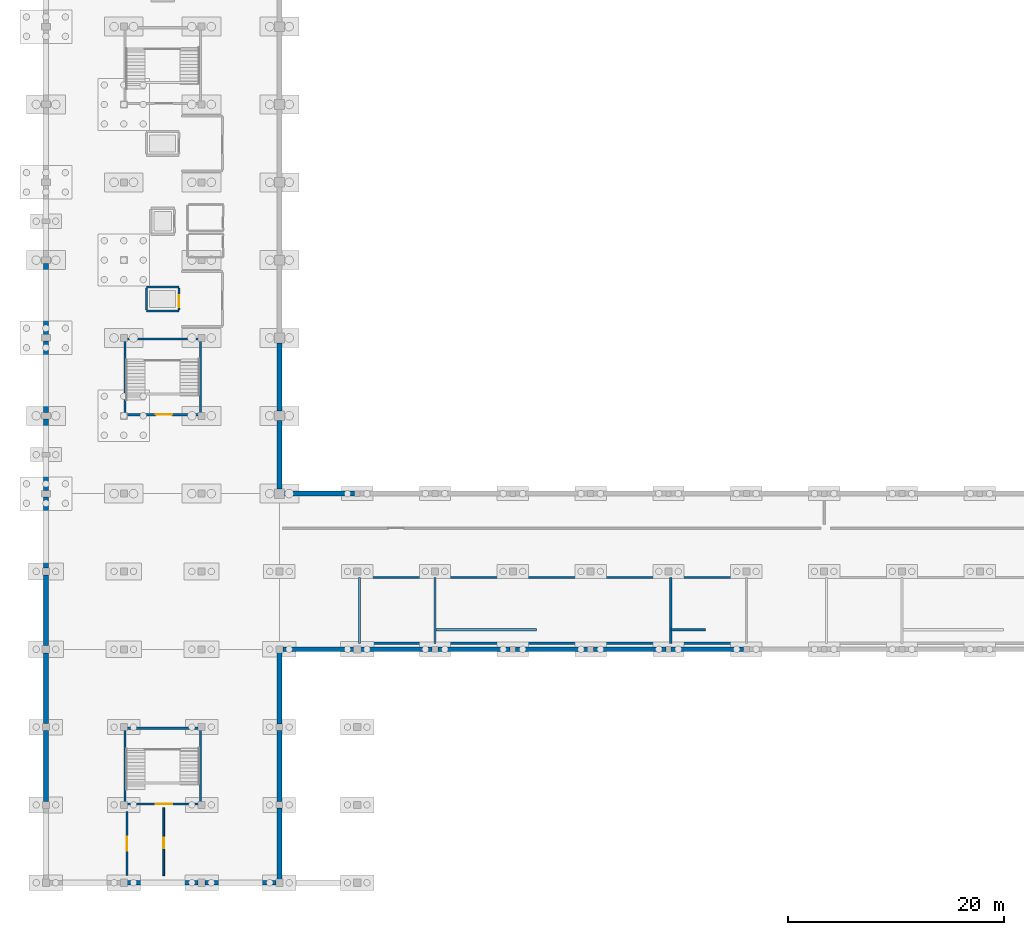
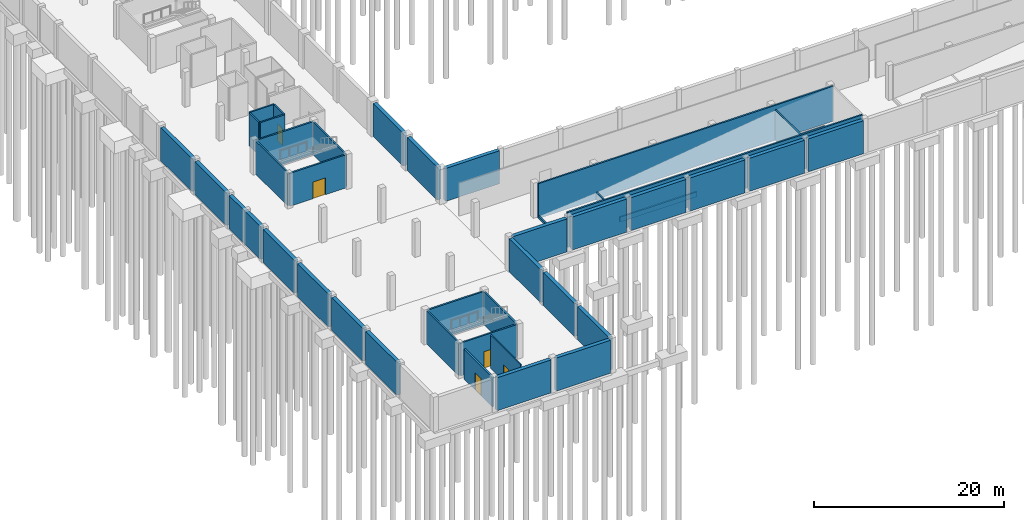
# One storey, part 9 of 18: 42 walls, 5 doors, 5 openings.
"""IFC4 building model written with IfcOpenShell, lengths in metres."""

from ifc_helpers import new_model, si_unit, direction, frame, frame_2d, origin, place, context, subcontext, project, spatial, rectangle, extrude, material, layer, layer_set, type_object, element, fill, save


model = new_model("IFC4")

# Units and contexts
model_context = context("Model", 3, precision=1e-05, world=origin(), true_north=direction((0.0, 1.0)))
body_context = subcontext(model_context, "Body", "Model", "MODEL_VIEW")
ifc_project = project(units=[si_unit("LENGTHUNIT", "METRE"), si_unit("AREAUNIT", "SQUARE_METRE"), si_unit("VOLUMEUNIT", "CUBIC_METRE"), si_unit("PLANEANGLEUNIT", "RADIAN"), si_unit("MASSUNIT", "GRAM", prefix="KILO")], contexts=[model_context])

# Site, building, storey
site_placement = place(None, origin())
site = spatial("IfcSite", under=ifc_project, at=site_placement, CompositionType="ELEMENT")
building_placement = place(site_placement, origin())
building = spatial("IfcBuilding", under=site, at=building_placement, Name="Kangsadwip Square Police Headquarters", CompositionType="ELEMENT")
storey_placement = place(building_placement, frame((0.0, 0.0, -4.5)))
storey = spatial("IfcBuildingStorey", under=building, at=storey_placement, Name="B1", CompositionType="ELEMENT", Elevation=-4.5)

# Walls
ifc_material_1 = material(Name="Concrete M40 (40 MPa)", Category="concrete")
ifc_layer_1 = layer(ifc_material_1, 0.449951171875)
ifc_layer_set_1 = layer_set([ifc_layer_1], Name="Concrete M40 (40 MPa)")
wall_type_1 = type_object("IfcWallType", Name="BasementRetainingWall450", PredefinedType="USERDEFINED", material=ifc_layer_set_1)
for number, where, z_axis, x_axis, name in (
    (1, (7.52001953125, 0.0, 0.0), (0.0, 0.0, 1.0), (1.0, 0.0, 0.0), "Exterior Wall WE-B1-002"),
    (2, (14.719970703125, 0.0, 0.0), (0.0, 0.0, 1.0), (1.0, 0.0, 0.0), "Exterior Wall WE-B1-003"),
    (3, (21.919921875, 21.60009765625, 0.0), (0.0, 0.0, 1.0), (1.0, 0.0, 0.0), "Exterior Wall WE-B1-004"),
):
    element("IfcWall", number, at=place(storey_placement, frame(where, z_axis=z_axis, x_axis=x_axis)), inside=storey, type_object=wall_type_1, Name=name, ObjectType="RETAININGWALL", PredefinedType="USERDEFINED", context=body_context, shape_type="SweptSolid", body=[
        extrude(rectangle(XDim=6.56005859375, YDim=0.449951171875, at=frame_2d((3.280029296875, 0.0))), origin(), (0.0, 0.0, 1.0), 4.25),
    ])
wall_1_placement = place(storey_placement, frame((29.1201171875, 21.60009765625, 0.0), z_axis=(0.0, 0.0, 1.0), x_axis=(1.0, 0.0, 0.0)))
element("IfcWall", 4, at=wall_1_placement, inside=storey, type_object=wall_type_1, Name="Exterior Wall WE-B1-005", ObjectType="RETAININGWALL", PredefinedType="USERDEFINED", context=body_context, shape_type="SweptSolid", body=[
    extrude(rectangle(XDim=6.60986328125, YDim=0.449951171875, at=frame_2d((3.304931640625, 0.0))), origin(), (0.0, 0.0, 1.0), 4.25),
])
wall_2_placement = place(storey_placement, frame((36.27001953125, 21.60009765625, 0.0), z_axis=(0.0, 0.0, 1.0), x_axis=(1.0, 0.0, 0.0)))
element("IfcWall", 5, at=wall_2_placement, inside=storey, type_object=wall_type_1, Name="Exterior Wall WE-B1-006", ObjectType="RETAININGWALL", PredefinedType="USERDEFINED", context=body_context, shape_type="SweptSolid", body=[
    extrude(rectangle(XDim=6.68505859375, YDim=0.449951171875, at=frame_2d((3.342529296875, 0.0))), origin(), (0.0, 0.0, 1.0), 4.25),
])
wall_3_placement = place(storey_placement, frame((43.445068359375, 21.60009765625, 0.0), z_axis=(0.0, 0.0, 1.0), x_axis=(1.0, 0.0, 0.0)))
element("IfcWall", 6, at=wall_3_placement, inside=storey, type_object=wall_type_1, Name="Exterior Wall WE-B1-007", ObjectType="RETAININGWALL", PredefinedType="USERDEFINED", context=body_context, shape_type="SweptSolid", body=[
    extrude(rectangle(XDim=6.684814453125, YDim=0.449951171875, at=frame_2d((3.34228515625, 0.0))), origin(), (0.0, 0.0, 1.0), 4.25),
])
for number, where, z_axis, x_axis, name in (
    (7, (50.669921875, 21.60009765625, 0.0), (0.0, 0.0, 1.0), (1.0, 0.0, 0.0), "Exterior Wall WE-B1-008"),
    (8, (57.844970703125, 21.60009765625, 0.0), (0.0, 0.0, 1.0), (1.0, 0.0, 0.0), "Exterior Wall WE-B1-009"),
):
    element("IfcWall", number, at=place(storey_placement, frame(where, z_axis=z_axis, x_axis=x_axis)), inside=storey, type_object=wall_type_1, Name=name, ObjectType="RETAININGWALL", PredefinedType="USERDEFINED", context=body_context, shape_type="SweptSolid", body=[
        extrude(rectangle(XDim=6.68505859375, YDim=0.449951171875, at=frame_2d((3.342529296875, 0.0))), origin(), (0.0, 0.0, 1.0), 4.25),
    ])
wall_4_placement = place(storey_placement, frame((22.044921875, 36.0, 0.0), z_axis=(0.0, 0.0, 1.0), x_axis=(1.0, 0.0, 0.0)))
element("IfcWall", 9, at=wall_4_placement, inside=storey, type_object=wall_type_1, Name="Exterior Wall WE-B1-024", ObjectType="RETAININGWALL", PredefinedType="USERDEFINED", context=body_context, shape_type="SweptSolid", body=[
    extrude(rectangle(XDim=6.510009765625, YDim=0.449951171875, at=frame_2d((3.2548828125, 0.0))), origin(), (0.0, 0.0, 1.0), 4.25),
])
wall_5_placement = place(storey_placement, frame((0.0, 7.52001953125, 0.0), z_axis=(0.0, 0.0, 1.0), x_axis=(0.0, 1.0, 0.0)))
element("IfcWall", 10, at=wall_5_placement, inside=storey, type_object=wall_type_1, Name="Exterior Wall WE-B1-082", ObjectType="RETAININGWALL", PredefinedType="USERDEFINED", context=body_context, shape_type="SweptSolid", body=[
    extrude(rectangle(XDim=6.56005859375, YDim=0.449951171875, at=frame_2d((3.280029296875, 0.0))), origin(), (0.0, 0.0, 1.0), 4.25),
])
for number, where, z_axis, x_axis, name in (
    (11, (0.0, 14.719970703125, 0.0), (0.0, 0.0, 1.0), (0.0, 1.0, 0.0), "Exterior Wall WE-B1-083"),
    (12, (0.0, 21.945068359375, 0.0), (0.0, 0.0, 1.0), (0.0, 1.0, 0.0), "Exterior Wall WE-B1-084"),
):
    element("IfcWall", number, at=place(storey_placement, frame(where, z_axis=z_axis, x_axis=x_axis)), inside=storey, type_object=wall_type_1, Name=name, ObjectType="RETAININGWALL", PredefinedType="USERDEFINED", context=body_context, shape_type="SweptSolid", body=[
        extrude(rectangle(XDim=6.534912109375, YDim=0.449951171875, at=frame_2d((3.267578125, 0.0))), origin(), (0.0, 0.0, 1.0), 4.25),
    ])
wall_6_placement = place(storey_placement, frame((0.0, 29.1201171875, 0.0), z_axis=(0.0, 0.0, 1.0), x_axis=(0.0, 1.0, 0.0)))
element("IfcWall", 13, at=wall_6_placement, inside=storey, type_object=wall_type_1, Name="Exterior Wall WE-B1-085", ObjectType="RETAININGWALL", PredefinedType="USERDEFINED", context=body_context, shape_type="SweptSolid", body=[
    extrude(rectangle(XDim=6.5849609375, YDim=0.449951171875, at=frame_2d((3.29248046875, 0.0))), origin(), (0.0, 0.0, 1.0), 4.25),
])
wall_7_placement = place(storey_placement, frame((0.0, 36.294921875, 0.0), z_axis=(0.0, 0.0, 1.0), x_axis=(0.0, 1.0, 0.0)))
element("IfcWall", 14, at=wall_7_placement, inside=storey, type_object=wall_type_1, Name="Exterior Wall WE-B1-086", ObjectType="RETAININGWALL", PredefinedType="USERDEFINED", context=body_context, shape_type="SweptSolid", body=[
    extrude(rectangle(XDim=6.610107421875, YDim=0.449951171875, at=frame_2d((3.30517578125, 0.0))), origin(), (0.0, 0.0, 1.0), 4.25),
])
for number, where, z_axis, x_axis, name in (
    (15, (0.0, 43.4951171875, 0.0), (0.0, 0.0, 1.0), (0.0, 1.0, 0.0), "Exterior Wall WE-B1-087"),
    (16, (0.0, 50.695068359375, 0.0), (0.0, 0.0, 1.0), (0.0, 1.0, 0.0), "Exterior Wall WE-B1-088"),
):
    element("IfcWall", number, at=place(storey_placement, frame(where, z_axis=z_axis, x_axis=x_axis)), inside=storey, type_object=wall_type_1, Name=name, ObjectType="RETAININGWALL", PredefinedType="USERDEFINED", context=body_context, shape_type="SweptSolid", body=[
        extrude(rectangle(XDim=6.60986328125, YDim=0.449951171875, at=frame_2d((3.304931640625, 0.0))), origin(), (0.0, 0.0, 1.0), 4.25),
    ])
wall_8_placement = place(storey_placement, frame((21.60009765625, 0.320068359375, 0.0), z_axis=(0.0, 0.0, 1.0), x_axis=(0.0, 1.0, 0.0)))
element("IfcWall", 17, at=wall_8_placement, inside=storey, type_object=wall_type_1, Name="Exterior Wall WE-B1-096", ObjectType="RETAININGWALL", PredefinedType="USERDEFINED", context=body_context, shape_type="SweptSolid", body=[
    extrude(rectangle(XDim=6.5849609375, YDim=0.449951171875, at=frame_2d((3.29248046875, 0.0))), origin(), (0.0, 0.0, 1.0), 4.25),
])
wall_9_placement = place(storey_placement, frame((21.60009765625, 7.4951171875, 0.0), z_axis=(0.0, 0.0, 1.0), x_axis=(0.0, 1.0, 0.0)))
element("IfcWall", 18, at=wall_9_placement, inside=storey, type_object=wall_type_1, Name="Exterior Wall WE-B1-097", ObjectType="RETAININGWALL", PredefinedType="USERDEFINED", context=body_context, shape_type="SweptSolid", body=[
    extrude(rectangle(XDim=6.60986328125, YDim=0.449951171875, at=frame_2d((3.304931640625, 0.0))), origin(), (0.0, 0.0, 1.0), 4.25),
])
wall_10_placement = place(storey_placement, frame((21.60009765625, 14.695068359375, 0.0), z_axis=(0.0, 0.0, 1.0), x_axis=(0.0, 1.0, 0.0)))
element("IfcWall", 19, at=wall_10_placement, inside=storey, type_object=wall_type_1, Name="Exterior Wall WE-B1-098", ObjectType="RETAININGWALL", PredefinedType="USERDEFINED", context=body_context, shape_type="SweptSolid", body=[
    extrude(rectangle(XDim=6.5849609375, YDim=0.449951171875, at=frame_2d((3.29248046875, 0.0))), origin(), (0.0, 0.0, 1.0), 4.25),
])
wall_11_placement = place(storey_placement, frame((21.60009765625, 36.445068359375, 0.0), z_axis=(0.0, 0.0, 1.0), x_axis=(0.0, 1.0, 0.0)))
element("IfcWall", 20, at=wall_11_placement, inside=storey, type_object=wall_type_1, Name="Exterior Wall WE-B1-099", ObjectType="RETAININGWALL", PredefinedType="USERDEFINED", context=body_context, shape_type="SweptSolid", body=[
    extrude(rectangle(XDim=6.309814453125, YDim=0.449951171875, at=frame_2d((3.15478515625, 0.0))), origin(), (0.0, 0.0, 1.0), 4.25),
])
wall_12_placement = place(storey_placement, frame((21.60009765625, 43.64501953125, 0.0), z_axis=(0.0, 0.0, 1.0), x_axis=(0.0, 1.0, 0.0)))
element("IfcWall", 21, at=wall_12_placement, inside=storey, type_object=wall_type_1, Name="Exterior Wall WE-B1-100", ObjectType="RETAININGWALL", PredefinedType="USERDEFINED", context=body_context, shape_type="SweptSolid", body=[
    extrude(rectangle(XDim=6.31005859375, YDim=0.449951171875, at=frame_2d((3.155029296875, 0.0))), origin(), (0.0, 0.0, 1.0), 4.25),
])

# Wall, opening, door
ifc_material_2 = material(Name="Autoclaved aerated concrete blockwork masonry", Category="masonry")
ifc_layer_2 = layer(ifc_material_2, 0.14990234375)
ifc_layer_set_2 = layer_set([ifc_layer_2], Name="Autoclaved aerated concrete blockwork masonry")
wall_type_2 = type_object("IfcWallType", Name="BlockPartition150", PredefinedType="PARTITIONING", material=ifc_layer_set_2)
wall_13_placement = place(storey_placement, frame((10.89990234375, 0.64990234375, 0.0), z_axis=(0.0, 0.0, 1.0), x_axis=(0.0, 1.0, 0.0)))
wall_13 = element("IfcWall", 22, at=wall_13_placement, inside=storey, type_object=wall_type_2, Name="Interior Wall WI-B1-0653", PredefinedType="PARTITIONING", context=body_context, shape_type="SweptSolid", body=[
    extrude(rectangle(XDim=6.300048828125, YDim=0.14990234375, at=frame_2d((3.14990234375, 0.0))), origin(), (0.0, 0.0, 1.0), 4.25),
])
opening_1_placement = place(wall_13_placement, frame((2.532958984375, 0.0, 0.0)))
opening_1 = element("IfcOpeningElement", 23, at=opening_1_placement, cuts=wall_13, Name="Opening ID-09A", PredefinedType="OPENING", context=body_context, shape_type="SweptSolid", body=[
    extrude(rectangle(XDim=0.97998046875, YDim=2.10009765625, at=frame_2d((0.489990234375, 1.050048828125))), frame((0.0, 0.0849609375, 0.0), z_axis=(0.0, -1.0, 0.0), x_axis=(1.0, 0.0, 0.0)), (0.0, 0.0, 1.0), 0.169921875),
])
ifc_material_3 = material(Name="Solid-core seasoned teak hardwood architectural door", Category="wood")
door_type_1 = type_object("IfcDoorType", Name="OfficeDoor980x2100", OperationType="NOTDEFINED", PredefinedType="DOOR", material=ifc_material_3)
door_1_placement = place(opening_1_placement, origin())
door_1 = element("IfcDoor", 24, at=door_1_placement, inside=storey, type_object=door_type_1, Name="Interior Door ID-B1-0122", OperationType="SINGLE_SWING_LEFT", OverallHeight=2.10009765625, OverallWidth=0.97998046875, PredefinedType="DOOR", context=body_context, shape_type="SweptSolid", body=[
    extrude(rectangle(XDim=0.97998046875, YDim=2.10009765625, at=frame_2d((0.489990234375, 1.050048828125))), frame((0.0, 0.02490234375, 0.0), z_axis=(0.0, -1.0, 0.0), x_axis=(1.0, 0.0, 0.0)), (0.0, 0.0, 1.0), 0.050048828125),
])
fill(opening_1, door_1)

# Walls
ifc_material_4 = material(Name="Concrete M40 (40 MPa)", Category="concrete")
ifc_layer_3 = layer(ifc_material_4, 0.199951171875)
ifc_layer_set_3 = layer_set([ifc_layer_3], Name="Concrete M40 (40 MPa)")
wall_type_3 = type_object("IfcWallType", Name="CoreShearWall200", PredefinedType="SHEAR", material=ifc_layer_set_3)
for number, where, z_axis, x_axis, name in (
    (25, (28.89990234375, 22.14990234375, 0.0), (0.0, 0.0, 1.0), (1.0, 0.0, 0.0), "Interior Wall WI-B1-0001"),
    (26, (28.89990234375, 28.25, 0.0), (0.0, 0.0, 1.0), (1.0, 0.0, 0.0), "Interior Wall WI-B1-0003"),
):
    element("IfcWall", number, at=place(storey_placement, frame(where, z_axis=z_axis, x_axis=x_axis)), inside=storey, type_object=wall_type_3, Name=name, PredefinedType="SHEAR", context=body_context, shape_type="SweptSolid", body=[
        extrude(rectangle(XDim=35.900146484375, YDim=0.199951171875, at=frame_2d((17.9501953125, 0.0))), origin(), (0.0, 0.0, 1.0), 4.5),
    ])
wall_14_placement = place(storey_placement, frame((36.050048828125, 23.39990234375, 0.0), z_axis=(0.0, 0.0, 1.0), x_axis=(1.0, 0.0, 0.0)))
element("IfcWall", 27, at=wall_14_placement, inside=storey, type_object=wall_type_3, Name="Ramp Spine Support Wall WI-RMPSP-29-S2", PredefinedType="SHEAR", context=body_context, shape_type="SweptSolid", body=[
    extrude(rectangle(XDim=9.349853515625, YDim=0.199951171875, at=frame_2d((4.6748046875, 0.0))), origin(), (0.0, 0.0, 1.0), 0.639892578125),
])
wall_15_placement = place(storey_placement, frame((57.85009765625, 23.39990234375, 0.0), z_axis=(0.0, 0.0, 1.0), x_axis=(1.0, 0.0, 0.0)))
element("IfcWall", 28, at=wall_15_placement, inside=storey, type_object=wall_type_3, Name="Ramp Spine Support Wall WI-RMPSP-29-S3", PredefinedType="SHEAR", context=body_context, shape_type="SweptSolid", body=[
    extrude(rectangle(XDim=3.14990234375, YDim=0.199951171875, at=frame_2d((1.574951171875, 0.0))), origin(), (0.0, 0.0, 1.0), 3.6201171875),
])
wall_16_placement = place(storey_placement, frame((29.0, 22.14990234375, 0.0), z_axis=(0.0, 0.0, 1.0), x_axis=(0.0, 1.0, 0.0)))
element("IfcWall", 29, at=wall_16_placement, inside=storey, type_object=wall_type_3, Name="Ramp Support Pier Wall 29", PredefinedType="SHEAR", context=body_context, shape_type="SweptSolid", body=[
    extrude(rectangle(XDim=6.10009765625, YDim=0.199951171875, at=frame_2d((3.050048828125, 0.0))), origin(), (0.0, 0.0, 1.0), 0.340087890625),
])
wall_17_placement = place(storey_placement, frame((36.0, 22.14990234375, 0.0), z_axis=(0.0, 0.0, 1.0), x_axis=(0.0, 1.0, 0.0)))
element("IfcWall", 30, at=wall_17_placement, inside=storey, type_object=wall_type_3, Name="Ramp Support Pier Wall 36", PredefinedType="SHEAR", context=body_context, shape_type="SweptSolid", body=[
    extrude(rectangle(XDim=6.10009765625, YDim=0.199951171875, at=frame_2d((3.050048828125, 0.0))), origin(), (0.0, 0.0, 1.0), 0.93994140625),
])
wall_18_placement = place(storey_placement, frame((57.800048828125, 22.14990234375, 0.0), z_axis=(0.0, 0.0, 1.0), x_axis=(0.0, 1.0, 0.0)))
element("IfcWall", 31, at=wall_18_placement, inside=storey, type_object=wall_type_3, Name="Ramp Support Pier Wall 57", PredefinedType="SHEAR", context=body_context, shape_type="SweptSolid", body=[
    extrude(rectangle(XDim=6.10009765625, YDim=0.199951171875, at=frame_2d((3.050048828125, 0.0))), origin(), (0.0, 0.0, 1.0), 3.919921875),
])

# Wall, opening, door
wall_19_placement = place(storey_placement, frame((7.39990234375, 43.300048828125, 0.0), z_axis=(0.0, 0.0, 1.0), x_axis=(1.0, 0.0, 0.0)))
wall_19 = element("IfcWall", 32, at=wall_19_placement, inside=storey, type_object=wall_type_3, Name="Interior Wall WI-B1-0009", PredefinedType="SHEAR", context=body_context, shape_type="SweptSolid", body=[
    extrude(rectangle(XDim=6.800048828125, YDim=0.199951171875, at=frame_2d((3.39990234375, 0.0))), origin(), (0.0, 0.0, 1.0), 4.25),
])
opening_2_placement = place(wall_19_placement, frame((2.77587890625, 0.0, 0.0)))
opening_2 = element("IfcOpeningElement", 33, at=opening_2_placement, cuts=wall_19, Name="Opening FD-15", PredefinedType="OPENING", context=body_context, shape_type="SweptSolid", body=[
    extrude(rectangle(XDim=1.5, YDim=2.14990234375, at=frame_2d((0.75, 1.074951171875))), frame((0.0, 0.10986328125, 0.0), z_axis=(0.0, -1.0, 0.0), x_axis=(1.0, 0.0, 0.0)), (0.0, 0.0, 1.0), 0.219970703125),
])
ifc_material_5 = material(Name="Insulated galvanized steel fire-rated door assembly", Category="steel")
door_type_2 = type_object("IfcDoorType", Name="StairFireDoor1500x2150", OperationType="DOUBLE_DOOR_SINGLE_SWING", PredefinedType="DOOR", material=ifc_material_5)
door_2_placement = place(opening_2_placement, origin())
door_2 = element("IfcDoor", 34, at=door_2_placement, inside=storey, type_object=door_type_2, Name="Interior Door ID-B1-0001", OperationType="DOUBLE_DOOR_SINGLE_SWING", OverallHeight=2.14990234375, OverallWidth=1.5, PredefinedType="DOOR", context=body_context, shape_type="SweptSolid", body=[
    extrude(rectangle(XDim=1.5, YDim=2.14990234375, at=frame_2d((0.75, 1.074951171875))), frame((0.0, 0.02490234375, 0.0), z_axis=(0.0, -1.0, 0.0), x_axis=(1.0, 0.0, 0.0)), (0.0, 0.0, 1.0), 0.050048828125),
])
fill(opening_2, door_2)

# Walls
for number, where, z_axis, x_axis, name in (
    (35, (7.39990234375, 50.300048828125, 0.0), (0.0, 0.0, 1.0), (1.0, 0.0, 0.0), "Interior Wall WI-B1-0010"),
    (36, (7.300048828125, 43.39990234375, 0.0), (0.0, 0.0, 1.0), (0.0, 1.0, 0.0), "Interior Wall WI-B1-0011"),
    (37, (14.300048828125, 43.39990234375, 0.0), (0.0, 0.0, 1.0), (0.0, 1.0, 0.0), "Interior Wall WI-B1-0012"),
):
    element("IfcWall", number, at=place(storey_placement, frame(where, z_axis=z_axis, x_axis=x_axis)), inside=storey, type_object=wall_type_3, Name=name, PredefinedType="SHEAR", context=body_context, shape_type="SweptSolid", body=[
        extrude(rectangle(XDim=6.800048828125, YDim=0.199951171875, at=frame_2d((3.39990234375, 0.0))), origin(), (0.0, 0.0, 1.0), 4.25),
    ])

# Wall, opening, door
wall_20_placement = place(storey_placement, frame((7.39990234375, 7.300048828125, 0.0), z_axis=(0.0, 0.0, 1.0), x_axis=(1.0, 0.0, 0.0)))
wall_20 = element("IfcWall", 38, at=wall_20_placement, inside=storey, type_object=wall_type_3, Name="Interior Wall WI-B1-0217", PredefinedType="SHEAR", context=body_context, shape_type="SweptSolid", body=[
    extrude(rectangle(XDim=6.800048828125, YDim=0.199951171875, at=frame_2d((3.39990234375, 0.0))), origin(), (0.0, 0.0, 1.0), 4.25),
])
opening_3_placement = place(wall_20_placement, frame((2.77587890625, 0.0, 0.0)))
opening_3 = element("IfcOpeningElement", 39, at=opening_3_placement, cuts=wall_20, Name="Opening FD-15", PredefinedType="OPENING", context=body_context, shape_type="SweptSolid", body=[
    extrude(rectangle(XDim=1.5, YDim=2.14990234375, at=frame_2d((0.75, 1.074951171875))), frame((0.0, 0.10986328125, 0.0), z_axis=(0.0, -1.0, 0.0), x_axis=(1.0, 0.0, 0.0)), (0.0, 0.0, 1.0), 0.219970703125),
])
door_3_placement = place(opening_3_placement, origin())
door_3 = element("IfcDoor", 40, at=door_3_placement, inside=storey, type_object=door_type_2, Name="Interior Door ID-B1-0050", OperationType="DOUBLE_DOOR_SINGLE_SWING", OverallHeight=2.14990234375, OverallWidth=1.5, PredefinedType="DOOR", context=body_context, shape_type="SweptSolid", body=[
    extrude(rectangle(XDim=1.5, YDim=2.14990234375, at=frame_2d((0.75, 1.074951171875))), frame((0.0, 0.02490234375, 0.0), z_axis=(0.0, -1.0, 0.0), x_axis=(1.0, 0.0, 0.0)), (0.0, 0.0, 1.0), 0.050048828125),
])
fill(opening_3, door_3)

# Walls
for number, where, z_axis, x_axis, name in (
    (41, (7.39990234375, 14.300048828125, 0.0), (0.0, 0.0, 1.0), (1.0, 0.0, 0.0), "Interior Wall WI-B1-0218"),
    (42, (7.300048828125, 7.39990234375, 0.0), (0.0, 0.0, 1.0), (0.0, 1.0, 0.0), "Interior Wall WI-B1-0219"),
    (43, (14.300048828125, 7.39990234375, 0.0), (0.0, 0.0, 1.0), (0.0, 1.0, 0.0), "Interior Wall WI-B1-0220"),
):
    element("IfcWall", number, at=place(storey_placement, frame(where, z_axis=z_axis, x_axis=x_axis)), inside=storey, type_object=wall_type_3, Name=name, PredefinedType="SHEAR", context=body_context, shape_type="SweptSolid", body=[
        extrude(rectangle(XDim=6.800048828125, YDim=0.199951171875, at=frame_2d((3.39990234375, 0.0))), origin(), (0.0, 0.0, 1.0), 4.25),
    ])
for number, where, z_axis, x_axis, name in (
    (44, (9.300048828125, 52.89990234375, 0.0), (0.0, 0.0, 1.0), (1.0, 0.0, 0.0), "Interior Wall WI-B1-0231"),
    (45, (9.300048828125, 55.10009765625, 0.0), (0.0, 0.0, 1.0), (1.0, 0.0, 0.0), "Interior Wall WI-B1-0232"),
):
    element("IfcWall", number, at=place(storey_placement, frame(where, z_axis=z_axis, x_axis=x_axis)), inside=storey, type_object=wall_type_3, Name=name, PredefinedType="SHEAR", context=body_context, shape_type="SweptSolid", body=[
        extrude(rectangle(XDim=3.0, YDim=0.199951171875, at=frame_2d((1.5, 0.0))), origin(), (0.0, 0.0, 1.0), 4.25),
    ])
wall_21_placement = place(storey_placement, frame((9.300048828125, 53.0, 0.0), z_axis=(0.0, 0.0, 1.0), x_axis=(0.0, 1.0, 0.0)))
element("IfcWall", 46, at=wall_21_placement, inside=storey, type_object=wall_type_3, Name="Interior Wall WI-B1-0233", PredefinedType="SHEAR", context=body_context, shape_type="SweptSolid", body=[
    extrude(rectangle(XDim=2.0, YDim=0.199951171875, at=frame_2d((1.0, 0.0))), origin(), (0.0, 0.0, 1.0), 4.25),
])

# Wall, opening, door
wall_22_placement = place(storey_placement, frame((12.300048828125, 53.0, 0.0), z_axis=(0.0, 0.0, 1.0), x_axis=(0.0, 1.0, 0.0)))
wall_22 = element("IfcWall", 47, at=wall_22_placement, inside=storey, type_object=wall_type_3, Name="Interior Wall WI-B1-0234", PredefinedType="SHEAR", context=body_context, shape_type="SweptSolid", body=[
    extrude(rectangle(XDim=2.0, YDim=0.199951171875, at=frame_2d((1.0, 0.0))), origin(), (0.0, 0.0, 1.0), 4.25),
])
opening_4_placement = place(wall_22_placement, frame((0.25, 0.0, 0.0)))
opening_4 = element("IfcOpeningElement", 48, at=opening_4_placement, cuts=wall_22, Name="Opening LD-001", PredefinedType="OPENING", context=body_context, shape_type="SweptSolid", body=[
    extrude(rectangle(XDim=1.10009765625, YDim=2.14990234375, at=frame_2d((0.550048828125, 1.074951171875))), frame((0.0, 0.10986328125, 0.0), z_axis=(0.0, -1.0, 0.0), x_axis=(1.0, 0.0, 0.0)), (0.0, 0.0, 1.0), 0.219970703125),
])
ifc_material_6 = material(Name="Brushed stainless steel automatic sliding lift landing door", Category="steel")
door_type_3 = type_object("IfcDoorType", Name="LiftLandingDoor1100x2150", OperationType="DOUBLE_DOOR_SLIDING", PredefinedType="DOOR", material=ifc_material_6)
door_4_placement = place(opening_4_placement, origin())
door_4 = element("IfcDoor", 49, at=door_4_placement, inside=storey, type_object=door_type_3, Name="Interior Door LD-001", OperationType="DOUBLE_DOOR_SLIDING", OverallHeight=2.14990234375, OverallWidth=1.10009765625, PredefinedType="DOOR", context=body_context, shape_type="SweptSolid", body=[
    extrude(rectangle(XDim=1.10009765625, YDim=2.14990234375, at=frame_2d((0.550048828125, 1.074951171875))), frame((0.0, 0.02490234375, 0.0), z_axis=(0.0, -1.0, 0.0), x_axis=(1.0, 0.0, 0.0)), (0.0, 0.0, 1.0), 0.050048828125),
])
fill(opening_4, door_4)

ifc_material_7 = material(Name="Concrete M40 (40 MPa)", Category="concrete")
ifc_layer_4 = layer(ifc_material_7, 0.199951171875)
ifc_layer_set_4 = layer_set([ifc_layer_4], Name="Concrete M40 (40 MPa)")
wall_type_4 = type_object("IfcWallType", Name="CustodySecurityWall200", PredefinedType="SOLIDWALL", material=ifc_layer_set_4)
wall_23_placement = place(storey_placement, frame((7.5, 0.64990234375, 0.0), z_axis=(0.0, 0.0, 1.0), x_axis=(0.0, 1.0, 0.0)))
wall_23 = element("IfcWall", 50, at=wall_23_placement, inside=storey, type_object=wall_type_4, Name="Interior Wall WI-B1-0652", PredefinedType="SOLIDWALL", context=body_context, shape_type="SweptSolid", body=[
    extrude(rectangle(XDim=5.9501953125, YDim=0.199951171875, at=frame_2d((2.97509765625, 0.0))), origin(), (0.0, 0.0, 1.0), 3.840087890625),
])
opening_5_placement = place(wall_23_placement, frame((2.324951171875, 0.0, 0.0)))
opening_5 = element("IfcOpeningElement", 51, at=opening_5_placement, cuts=wall_23, Name="Opening FD-13", PredefinedType="OPENING", context=body_context, shape_type="SweptSolid", body=[
    extrude(rectangle(XDim=1.300048828125, YDim=2.199951171875, at=frame_2d((0.64990234375, 1.10009765625))), frame((0.0, 0.10986328125, 0.0), z_axis=(0.0, -1.0, 0.0), x_axis=(1.0, 0.0, 0.0)), (0.0, 0.0, 1.0), 0.219970703125),
])
ifc_material_8 = material(Name="Insulated galvanized steel fire-rated door assembly", Category="steel")
door_type_4 = type_object("IfcDoorType", Name="VaultHeavyDoor1300x2200", OperationType="NOTDEFINED", PredefinedType="DOOR", material=ifc_material_8)
door_5_placement = place(opening_5_placement, origin())
door_5 = element("IfcDoor", 52, at=door_5_placement, inside=storey, type_object=door_type_4, Name="Interior Door ID-B1-0121", OperationType="SINGLE_SWING_RIGHT", OverallHeight=2.199951171875, OverallWidth=1.300048828125, PredefinedType="DOOR", context=body_context, shape_type="SweptSolid", body=[
    extrude(rectangle(XDim=1.300048828125, YDim=2.199951171875, at=frame_2d((0.64990234375, 1.10009765625))), frame((0.0, 0.02490234375, 0.0), z_axis=(0.0, -1.0, 0.0), x_axis=(1.0, 0.0, 0.0)), (0.0, 0.0, 1.0), 0.050048828125),
])
fill(opening_5, door_5)

save(model, "model.ifc")
